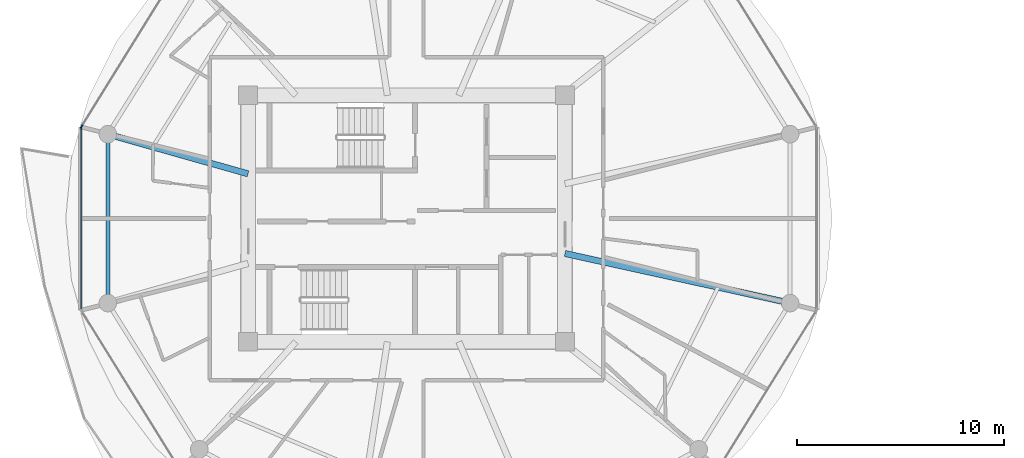
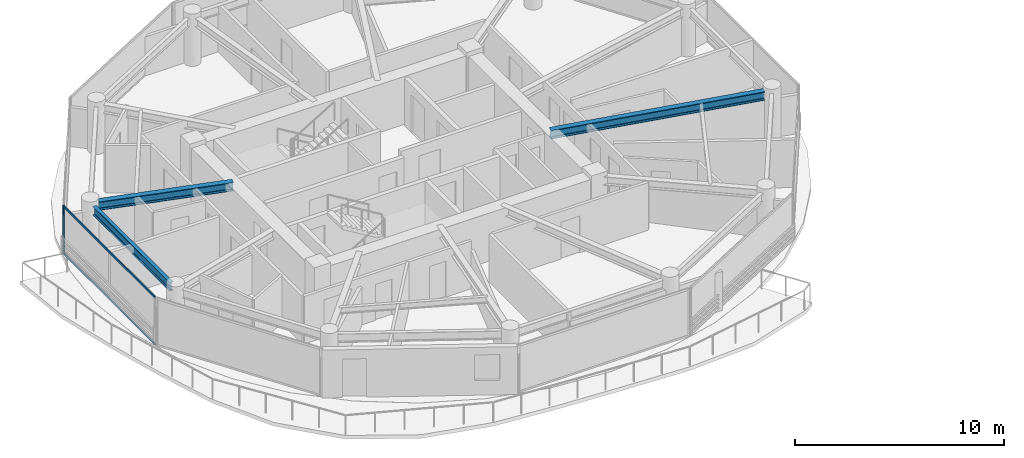
# One storey, part 3 of 24: 4 members, 3 beams, 2 elements without a shape of their own.
"""IFC4 building model written with IfcOpenShell, lengths in metres."""

import ifcopenshell
import ifcopenshell.guid

model = None  # the IFC model being written
_history = None  # IfcOwnerHistory: only IFC2X3 demands one
_inside = {}  # id of a spatial element -> (the spatial element, [elements in it])
_under = {}  # id of a project, library or spatial element -> (it, [spatial elements below it])
_declared = {}  # id of a project -> (the project, [libraries it declares])
_typed = {}  # id of a type object -> (the type object, [elements of that type])
_made_of = {}  # id of a material, layer set ... -> (it, [elements and type objects made of it])


def new_model(schema):
    """Start an empty IFC model of exactly this schema.

    Asked for "IFC4X3", IfcOpenShell would pick the latest addendum, in which some entities
    have other attributes; the version numbers below select the first issue.
    IFC2X3 requires an IfcOwnerHistory on every rooted entity: one is made here for all.
    """
    global model, _history
    if schema == "IFC4X3":
        model = ifcopenshell.file(schema_version=(4, 3, 0, 0))
    else:
        model = ifcopenshell.file(schema=schema)
    _inside.clear()
    _under.clear()
    _declared.clear()
    _typed.clear()
    _made_of.clear()
    _history = None
    if model.schema == "IFC2X3":
        org = make("IfcOrganization", Name="unknown")
        user = make(
            "IfcPersonAndOrganization",
            ThePerson=make("IfcPerson", FamilyName="unknown"),
            TheOrganization=org,
        )
        app = make(
            "IfcApplication",
            ApplicationDeveloper=org,
            Version="unknown",
            ApplicationFullName="unknown",
            ApplicationIdentifier="unknown",
        )
        _history = make(
            "IfcOwnerHistory",
            OwningUser=user,
            OwningApplication=app,
            ChangeAction="ADDED",
            CreationDate=0,
        )
    return model


def make(cls, **values):
    """One entity of the class cls with the attributes given. An attribute that is None is left unset."""
    return model.create_entity(
        cls, **{name: value for name, value in values.items() if value is not None}
    )


def rooted(cls, **values):
    """An entity with a GlobalId (a new one), such as an element, a storey or a relation."""
    return make(cls, GlobalId=ifcopenshell.guid.new(), OwnerHistory=_history, **values)


def si_unit(unit_type, name, prefix=None):
    """IfcSIUnit, for example si_unit("LENGTHUNIT", "METRE", prefix="MILLI")."""
    return make("IfcSIUnit", UnitType=unit_type, Prefix=prefix, Name=name)


def assignment(units):
    """IfcUnitAssignment: the units of a project."""
    return None if units is None else make("IfcUnitAssignment", Units=units)


def point(xyz):
    """IfcCartesianPoint."""
    return None if xyz is None else make("IfcCartesianPoint", Coordinates=xyz)


def direction(xyz):
    """IfcDirection."""
    return None if xyz is None else make("IfcDirection", DirectionRatios=xyz)


def frame(location, z_axis=None, x_axis=None):
    """IfcAxis2Placement3D, a coordinate frame: its origin and axes. An axis left out is left unset."""
    return make(
        "IfcAxis2Placement3D",
        Location=point(location),
        Axis=direction(z_axis),
        RefDirection=direction(x_axis),
    )


def frame_2d(location, x_axis=None):
    """IfcAxis2Placement2D, a coordinate frame in the plane: its origin and x axis."""
    return make(
        "IfcAxis2Placement2D", Location=point(location), RefDirection=direction(x_axis)
    )


def origin():
    """The frame at (0, 0, 0) with its axes left unset."""
    return frame((0.0, 0.0, 0.0))


def origin_2d():
    """The frame at (0, 0) in the plane with its x axis left unset."""
    return frame_2d((0.0, 0.0))


def place(relative_to, where):
    """IfcLocalPlacement: puts the frame where relative to a parent placement (None: the world)."""
    return make(
        "IfcLocalPlacement", PlacementRelTo=relative_to, RelativePlacement=where
    )


def context(
    kind, dimensions, precision=None, world=None, true_north=None, identifier=None
):
    """IfcGeometricRepresentationContext, for example the 3D "Model" context."""
    return make(
        "IfcGeometricRepresentationContext",
        ContextIdentifier=identifier,
        ContextType=kind,
        CoordinateSpaceDimension=dimensions,
        Precision=precision,
        WorldCoordinateSystem=world,
        TrueNorth=true_north,
    )


def subcontext(parent, identifier, kind, view, scale=None):
    """IfcGeometricRepresentationSubContext, for example "Body" below "Model"."""
    return make(
        "IfcGeometricRepresentationSubContext",
        ContextIdentifier=identifier,
        ContextType=kind,
        ParentContext=parent,
        TargetScale=scale,
        TargetView=view,
    )


def project(units=None, contexts=None):
    """IfcProject with its units and contexts."""
    return rooted(
        "IfcProject",
        Name="project",
        RepresentationContexts=contexts,
        UnitsInContext=assignment(units),
    )


def spatial(cls, under=None, at=None, **own):
    """A site, building, storey or space (cls), placed at a placement, below another one or the project."""
    s = rooted(cls, ObjectPlacement=at, **own)
    if under is not None:
        _under.setdefault(under.id(), (under, []))[1].append(s)
    return s


def profile(cls, at=None, kind="AREA", **sizes):
    """A parametric profile (cls). Its sizes go by their IFC names, for example OverallWidth=200.0."""
    return make(cls, ProfileType=kind, Position=at, **sizes)


def rectangle(**sizes):
    """IfcRectangleProfileDef."""
    return profile("IfcRectangleProfileDef", **sizes)


def i_section(**sizes):
    """IfcIShapeProfileDef."""
    return profile("IfcIShapeProfileDef", **sizes)


def extrude(swept, where, along, depth):
    """IfcExtrudedAreaSolid: the profile swept, set in the frame where, extruded along a direction by depth."""
    return make(
        "IfcExtrudedAreaSolid",
        SweptArea=swept,
        Position=where,
        ExtrudedDirection=direction(along),
        Depth=depth,
    )


def shape(context_of_items, identifier, shape_type, items):
    """IfcShapeRepresentation: the items that make up one representation, for example the "Body"."""
    return make(
        "IfcShapeRepresentation",
        ContextOfItems=context_of_items,
        RepresentationIdentifier=identifier,
        RepresentationType=shape_type,
        Items=items,
    )


def source(mapping_origin, context_of_items, identifier, shape_type, items):
    """IfcRepresentationMap: a shape defined once, which mapped items show again and again."""
    return make(
        "IfcRepresentationMap",
        MappingOrigin=mapping_origin,
        MappedRepresentation=shape(context_of_items, identifier, shape_type, items),
    )


def transform(
    local_origin,
    x_axis=None,
    y_axis=None,
    z_axis=None,
    scale=None,
    scale2=None,
    scale3=None,
    uniform=True,
):
    """IfcCartesianTransformationOperator3D, or its non-uniform kind. x_axis, y_axis, z_axis: its Axis1, 2, 3."""
    if uniform:
        return make(
            "IfcCartesianTransformationOperator3D",
            Axis1=direction(x_axis),
            Axis2=direction(y_axis),
            LocalOrigin=point(local_origin),
            Scale=scale,
            Axis3=direction(z_axis),
        )
    return make(
        "IfcCartesianTransformationOperator3DnonUniform",
        Axis1=direction(x_axis),
        Axis2=direction(y_axis),
        LocalOrigin=point(local_origin),
        Scale=scale,
        Axis3=direction(z_axis),
        Scale2=scale2,
        Scale3=scale3,
    )


def mapped(mapping_source, mapping_target):
    """IfcMappedItem: shows the shape of a source again, moved by a transform."""
    return make(
        "IfcMappedItem", MappingSource=mapping_source, MappingTarget=mapping_target
    )


def material(Name=None, Category=None):
    """IfcMaterial."""
    return make("IfcMaterial", Name=Name, Category=Category)


def layer(
    of_material, thickness, ventilated=None, Name=None, Category=None, Priority=None
):
    """IfcMaterialLayer: one layer of a wall or slab, of a material (None: an air gap)."""
    return make(
        "IfcMaterialLayer",
        Material=of_material,
        LayerThickness=thickness,
        IsVentilated=ventilated,
        Name=Name,
        Category=Category,
        Priority=Priority,
    )


def layer_set(layers, Name=None):
    """IfcMaterialLayerSet."""
    return make("IfcMaterialLayerSet", MaterialLayers=layers, LayerSetName=Name)


def material_profile(
    of_material, cross_section, Name=None, Category=None, Priority=None
):
    """IfcMaterialProfile: a cross section and its material."""
    return make(
        "IfcMaterialProfile",
        Name=Name,
        Material=of_material,
        Profile=cross_section,
        Priority=Priority,
        Category=Category,
    )


def profile_set(profiles, Name=None, composite=None):
    """IfcMaterialProfileSet."""
    return make(
        "IfcMaterialProfileSet",
        Name=Name,
        MaterialProfiles=profiles,
        CompositeProfile=composite,
    )


def made_of(thing, what):
    """Note that an element or type object is made of a material, layer set ...; save() writes the relation."""
    if what is not None:
        _made_of.setdefault(what.id(), (what, []))[1].append(thing)
    return thing


def type_object(cls, material=None, **own):
    """A type object (cls), such as IfcWallType, which elements share."""
    return made_of(rooted(cls, **own), material)


def type_shapes(of_type, sources):
    """Give a type object the sources (RepresentationMaps) that its elements show as mapped items."""
    of_type.RepresentationMaps = sources


def element(
    cls,
    number,
    at=None,
    inside=None,
    cuts=None,
    type_object=None,
    material=None,
    context=None,
    identifier="Body",
    shape_type=None,
    held_by="IfcProductDefinitionShape",
    body=None,
    shapes=None,
    **own,
):
    """One element of the class cls, such as IfcWall. Its Tag is "e" and its number.

    at: its placement. inside: the storey or other place that contains it. cuts: it is an
    opening in that element (IfcRelVoidsElement). A single representation is given by context,
    identifier, shape_type and body (its items); several are given by shapes. held_by: the class
    of the entity that holds the representations. save() writes the other relations.
    """
    e = rooted(cls, Tag="e%d" % number, ObjectPlacement=at, **own)
    if body is not None:
        shapes = [shape(context, identifier, shape_type, body)]
    if shapes is not None:
        e.Representation = make(held_by, Representations=shapes)
    if inside is not None:
        _inside.setdefault(inside.id(), (inside, []))[1].append(e)
    if cuts is not None:
        rooted(
            "IfcRelVoidsElement", RelatingBuildingElement=cuts, RelatedOpeningElement=e
        )
    if type_object is not None:
        _typed.setdefault(type_object.id(), (type_object, []))[1].append(e)
    return made_of(e, material)


def aggregate(whole, parts):
    """IfcRelAggregates: a whole, such as a stair, and the parts it consists of."""
    return rooted("IfcRelAggregates", RelatingObject=whole, RelatedObjects=parts)


def save(model, path):
    """Write the relations noted so far, then the file.

    IfcRelAggregates (storeys below a building ...), IfcRelContainedInSpatialStructure (elements
    in a storey), IfcRelDefinesByType, IfcRelAssociatesMaterial and IfcRelDeclares: one each for
    every whole, place, type object, material and project.
    """
    for whole, parts in _under.values():
        aggregate(whole, parts)
    for where, things in _inside.values():
        rooted(
            "IfcRelContainedInSpatialStructure",
            RelatedElements=things,
            RelatingStructure=where,
        )
    for kind, things in _typed.values():
        rooted("IfcRelDefinesByType", RelatedObjects=things, RelatingType=kind)
    for what, things in _made_of.values():
        rooted("IfcRelAssociatesMaterial", RelatedObjects=things, RelatingMaterial=what)
    for by, libraries in _declared.values():
        rooted("IfcRelDeclares", RelatingContext=by, RelatedDefinitions=libraries)
    model.write(path)


model = new_model("IFC4")

# Units and contexts
model_context = context("Model", 3, precision=1e-05, world=origin(), true_north=direction((0.0, 1.0)))
body_context = subcontext(model_context, "Body", "Model", "MODEL_VIEW")
ifc_project = project(units=[si_unit("LENGTHUNIT", "METRE"), si_unit("AREAUNIT", "SQUARE_METRE"), si_unit("VOLUMEUNIT", "CUBIC_METRE"), si_unit("PLANEANGLEUNIT", "RADIAN"), si_unit("MASSUNIT", "GRAM", prefix="KILO")], contexts=[model_context])

# Site, building, storey
site_placement = place(None, origin())
site = spatial("IfcSite", under=ifc_project, at=site_placement, CompositionType="ELEMENT")
building_placement = place(site_placement, origin())
building = spatial("IfcBuilding", under=site, at=building_placement, Name="Norrkilde Senior Care Towers", CompositionType="ELEMENT")
storey_placement = place(building_placement, frame((0.0, 0.0, 108.449951171875)))
storey = spatial("IfcBuildingStorey", under=building, at=storey_placement, Name="L33", CompositionType="ELEMENT", Elevation=108.449951171875)

# Beams
ifc_material_1 = material(Name="Steel S355", Category="steel")
ifc_material_profile_1 = material_profile(ifc_material_1, i_section(OverallWidth=0.300048828125, OverallDepth=0.5, WebThickness=0.014404296875, FlangeThickness=0.028076171875, FilletRadius=0.027099609375, at=origin_2d()), Name="HEB 500")
ifc_profile_set_1 = profile_set([ifc_material_profile_1], Name="Steel S355")
beam_type_1 = type_object("IfcBeamType", Name="Radial Floor Beam Z2 HEB500", PredefinedType="BEAM", material=ifc_profile_set_1)
shared_shape_1 = source(origin(), body_context, "Body", "SweptSolid", [
    extrude(i_section(OverallWidth=0.300048828125, OverallDepth=0.5, WebThickness=0.014404296875, FlangeThickness=0.028076171875, FilletRadius=0.027099609375, at=origin_2d()), origin(), (0.0, 0.0, 1.0), 10.744384765625),
])
beam_1_placement = place(storey_placement, frame((-20.35009765625, -1.683837890625, 2.5400390625), z_axis=(0.976618711422, -0.214978818724, 0.0), x_axis=(0.214978818724, 0.976618711422, 0.0)))
element("IfcBeam", 1, at=beam_1_placement, inside=storey, type_object=beam_type_1, Name="L33 Drum W Radial Floor Beam 12", PredefinedType="BEAM", context=body_context, shape_type="MappedRepresentation", body=[
    mapped(shared_shape_1, transform((0.0, 0.0, 0.0), x_axis=(1.0, 0.0, 0.0), y_axis=(0.0, 1.0, 0.0), z_axis=(0.0, 0.0, 1.0), scale=1.0)),
])
ifc_material_profile_2 = material_profile(ifc_material_1, i_section(OverallWidth=0.199951171875, OverallDepth=0.5, WebThickness=0.01025390625, FlangeThickness=0.01611328125, FilletRadius=0.02099609375, at=origin_2d()), Name="IPE 500")
ifc_profile_set_2 = profile_set([ifc_material_profile_2], Name="Steel S355")
beam_type_2 = type_object("IfcBeamType", Name="Perimeter Ring Spandrel Z2 IPE500", PredefinedType="SPANDREL", material=ifc_profile_set_2)
shared_shape_2 = source(origin(), body_context, "Body", "SweptSolid", [
    extrude(i_section(OverallWidth=0.199951171875, OverallDepth=0.5, WebThickness=0.01025390625, FlangeThickness=0.01611328125, FilletRadius=0.02099609375, at=origin_2d()), origin(), (0.0, 0.0, 1.0), 7.3828125),
])
type_shapes(beam_type_2, [shared_shape_2])
beam_2_placement = place(storey_placement, frame((-42.4189453125, 3.69140625, 2.5400390625), z_axis=(0.0, -1.0, 0.0), x_axis=(1.0, 0.0, 0.0)))
element("IfcBeam", 2, at=beam_2_placement, inside=storey, type_object=beam_type_2, Name="L33 Drum W Perimeter Spandrel 06", PredefinedType="SPANDREL", context=body_context, shape_type="MappedRepresentation", body=[
    mapped(shared_shape_2, transform((0.0, 0.0, 0.0), x_axis=(1.0, 0.0, 0.0), y_axis=(0.0, 1.0, 0.0), z_axis=(0.0, 0.0, 1.0), scale=1.0)),
])
shared_shape_3 = source(origin(), body_context, "Body", "SweptSolid", [
    extrude(i_section(OverallWidth=0.300048828125, OverallDepth=0.5, WebThickness=0.014404296875, FlangeThickness=0.028076171875, FilletRadius=0.027099609375, at=origin_2d()), origin(), (0.0, 0.0, 1.0), 6.6494140625),
])
type_shapes(beam_type_1, [shared_shape_1, shared_shape_3])
beam_3_placement = place(storey_placement, frame((-35.64990234375, 2.162841796875, 2.5400390625), z_axis=(-0.962289138357, 0.27202870106, 0.0), x_axis=(-0.27202870106, -0.962289138357, 0.0)))
element("IfcBeam", 3, at=beam_3_placement, inside=storey, type_object=beam_type_1, Name="L33 Drum W Radial Floor Beam 06", PredefinedType="BEAM", context=body_context, shape_type="MappedRepresentation", body=[
    mapped(shared_shape_3, transform((0.0, 0.0, 0.0), x_axis=(1.0, 0.0, 0.0), y_axis=(0.0, 1.0, 0.0), z_axis=(0.0, 0.0, 1.0), scale=1.0)),
])

# Curtain wall, member
ifc_material_2 = material(Name="Triple Low-E Insulated Glazing", Category="glass")
ifc_layer = layer(ifc_material_2, 0.195068359375)
ifc_layer_set = layer_set([ifc_layer], Name="Triple Low-E Insulated Glazing")
curtain_wall_type = type_object("IfcCurtainWallType", Name="CW3 Zone 2 Assisted Living Curtain Wall", PredefinedType="NOTDEFINED", material=ifc_layer_set)
curtain_wall_1_placement = place(storey_placement, origin())
curtain_wall_1 = element("IfcCurtainWall", 4, at=curtain_wall_1_placement, inside=storey, type_object=curtain_wall_type, Name="L33 Drum W Curtain Wall 04", PredefinedType="NOTDEFINED")
ifc_material_3 = material(Name="Anodised Aluminium", Category="aluminium")
ifc_material_profile_3 = material_profile(ifc_material_3, rectangle(XDim=0.06494140625, YDim=0.159912109375, at=origin_2d()), Name="ALU MULL 65x160")
ifc_profile_set_3 = profile_set([ifc_material_profile_3], Name="Anodised Aluminium")
member_type_1 = type_object("IfcMemberType", Name="Curtain Wall Mullion Z1-Z2 65x160", PredefinedType="MULLION", material=ifc_profile_set_3)
shared_shape_4 = source(origin(), body_context, "Body", "SweptSolid", [
    extrude(rectangle(XDim=0.06494140625, YDim=0.159912109375, at=origin_2d()), origin(), (0.0, 0.0, 1.0), 2.7900390625),
])
type_shapes(member_type_1, [shared_shape_4])
member_1_placement = place(storey_placement, frame((-43.6865234375, 4.4482421875, 0.0), z_axis=(0.0, 0.0, 1.0), x_axis=(-0.849410171862, 0.527733228002, 0.0)))
member_1 = element("IfcMember", 5, at=member_1_placement, type_object=member_type_1, Name="CW-3 mullion 1", PredefinedType="MULLION", context=body_context, shape_type="MappedRepresentation", body=[
    mapped(shared_shape_4, transform((0.0, 0.0, 0.0), x_axis=(1.0, 0.0, 0.0), y_axis=(0.0, 1.0, 0.0), z_axis=(0.0, 0.0, 1.0), scale=1.0)),
])
aggregate(curtain_wall_1, [member_1])

# Curtain wall, members
curtain_wall_2_placement = place(storey_placement, origin())
curtain_wall_2 = element("IfcCurtainWall", 6, at=curtain_wall_2_placement, inside=storey, type_object=curtain_wall_type, Name="L33 Drum W Curtain Wall 05", PredefinedType="NOTDEFINED")
member_2_placement = place(storey_placement, frame((-43.70361328125, 4.38818359375, 0.0), z_axis=(0.0, 0.0, 1.0), x_axis=(-1.0, 0.0, 0.0)))
member_2 = element("IfcMember", 7, at=member_2_placement, type_object=member_type_1, Name="CW-3 mullion 2", PredefinedType="MULLION", context=body_context, shape_type="MappedRepresentation", body=[
    mapped(shared_shape_4, transform((0.0, 0.0, 0.0), x_axis=(1.0, 0.0, 0.0), y_axis=(0.0, 1.0, 0.0), z_axis=(0.0, 0.0, 1.0), scale=1.0)),
])
ifc_material_profile_4 = material_profile(ifc_material_3, rectangle(XDim=0.06005859375, YDim=0.1201171875, at=origin_2d()), Name="ALU TRAN 60x120")
ifc_profile_set_4 = profile_set([ifc_material_profile_4], Name="Anodised Aluminium")
member_type_2 = type_object("IfcMemberType", Name="Curtain Wall Transom Typical 60x120", PredefinedType="USERDEFINED", material=ifc_profile_set_4)
shared_shape_5 = source(origin(), body_context, "Body", "SweptSolid", [
    extrude(rectangle(XDim=0.06005859375, YDim=0.1201171875, at=origin_2d()), origin(), (0.0, 0.0, 1.0), 8.71142578125),
])
type_shapes(member_type_2, [shared_shape_5])
member_3_placement = place(storey_placement, frame((-43.70361328125, -4.355712890625, 0.030029296875), z_axis=(0.0, 1.0, 0.0), x_axis=(-1.0, 0.0, 0.0)))
member_3 = element("IfcMember", 8, at=member_3_placement, type_object=member_type_2, Name="CW-3 transom 1.1", ObjectType="TRANSOM", PredefinedType="USERDEFINED", context=body_context, shape_type="MappedRepresentation", body=[
    mapped(shared_shape_5, transform((0.0, 0.0, 0.0), x_axis=(1.0, 0.0, 0.0), y_axis=(0.0, 1.0, 0.0), z_axis=(0.0, 0.0, 1.0), scale=1.0)),
])
member_4_placement = place(storey_placement, frame((-43.70361328125, -4.355712890625, 2.760009765625), z_axis=(0.0, 1.0, 0.0), x_axis=(-1.0, 0.0, 0.0)))
member_4 = element("IfcMember", 9, at=member_4_placement, type_object=member_type_2, Name="CW-3 transom 1.2", ObjectType="TRANSOM", PredefinedType="USERDEFINED", context=body_context, shape_type="MappedRepresentation", body=[
    mapped(shared_shape_5, transform((0.0, 0.0, 0.0), x_axis=(1.0, 0.0, 0.0), y_axis=(0.0, 1.0, 0.0), z_axis=(0.0, 0.0, 1.0), scale=1.0)),
])
aggregate(curtain_wall_2, [member_2, member_3, member_4])

save(model, "model.ifc")
